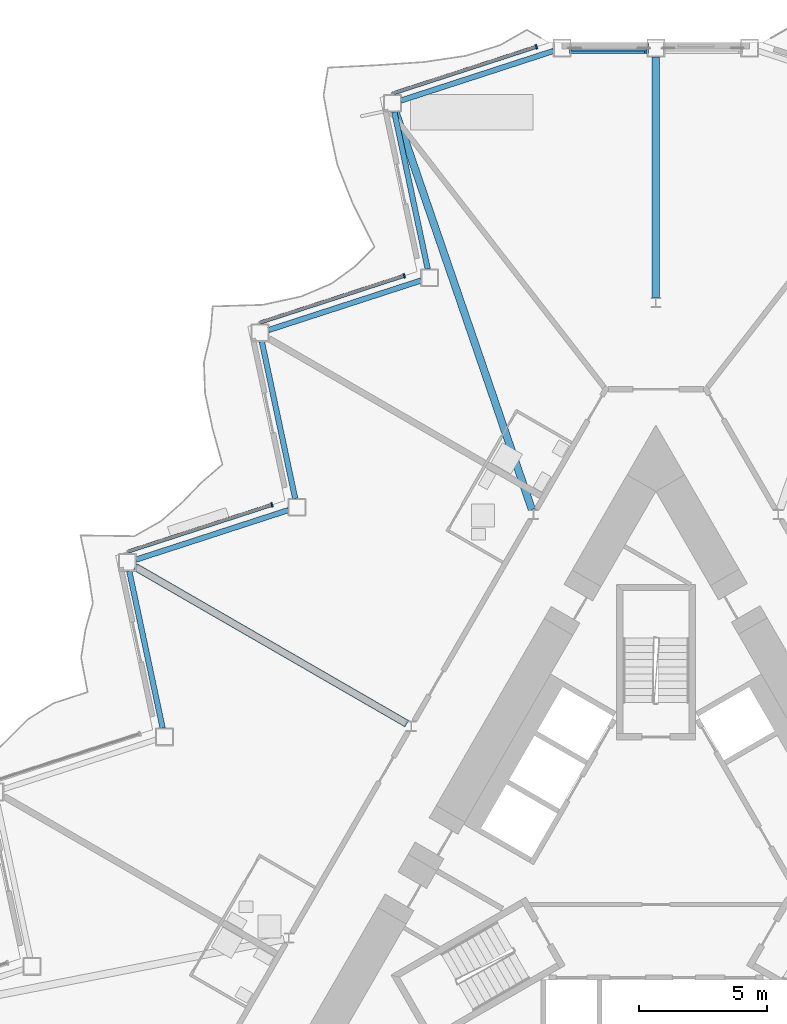
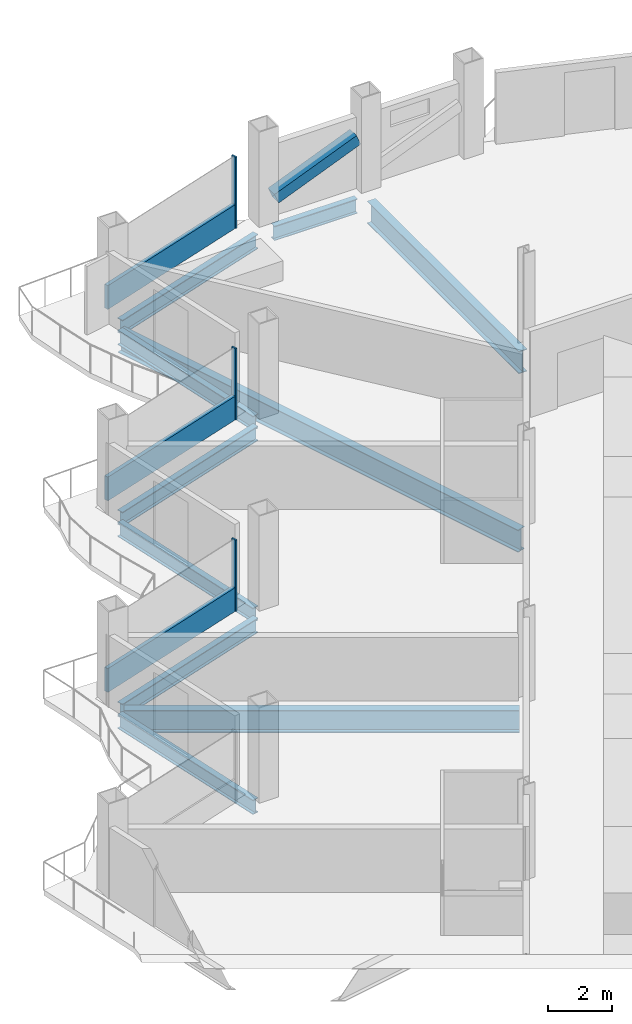
# One storey, part 8 of 23: 10 beams, 7 members, 3 elements without a shape of their own.
"""IFC4 building model written with IfcOpenShell, lengths in metres."""

from ifc_helpers import new_model, si_unit, direction, frame, origin, origin_2d, place, context, subcontext, project, spatial, rectangle, hollow_rectangle, i_section, extrude, material, layer, layer_set, material_profile, profile_set, type_object, element, aggregate, save


model = new_model("IFC4")

# Units and contexts
model_context = context("Model", 3, precision=1e-05, world=origin(), true_north=direction((0.0, 1.0)))
body_context = subcontext(model_context, "Body", "Model", "MODEL_VIEW")
ifc_project = project(units=[si_unit("LENGTHUNIT", "METRE"), si_unit("AREAUNIT", "SQUARE_METRE"), si_unit("VOLUMEUNIT", "CUBIC_METRE"), si_unit("PLANEANGLEUNIT", "RADIAN"), si_unit("MASSUNIT", "GRAM", prefix="KILO")], contexts=[model_context])

# Site, building, storey
site_placement = place(None, origin())
site = spatial("IfcSite", under=ifc_project, at=site_placement, CompositionType="ELEMENT")
building_placement = place(site_placement, origin())
building = spatial("IfcBuilding", under=site, at=building_placement, Name="Cormorant Prow Tower", CompositionType="ELEMENT")
storey_placement = place(building_placement, frame((0.0, 0.0, 249.0)))
storey = spatial("IfcBuildingStorey", under=building, at=storey_placement, Name="L55", CompositionType="ELEMENT", Elevation=249.0)

# Member
ifc_material_1 = material(Name="Structural steel ASTM A500 Gr C", Category="steel")
ifc_material_profile_1 = material_profile(ifc_material_1, hollow_rectangle(XDim=0.406494140625, YDim=0.406494140625, WallThickness=0.01171875, at=origin_2d()), Name="HSS16x16x1/2")
ifc_profile_set_1 = profile_set([ifc_material_profile_1], Name="Structural steel ASTM A500 Gr C")
member_type_1 = type_object("IfcMemberType", Name="Chamfer brace HSS16x16x1/2", PredefinedType="BRACE", material=ifc_profile_set_1)
member_1_placement = place(storey_placement, frame((-3.3046875, 32.073486328125, 0.74951171875), z_axis=(0.925591042089, 0.0, 0.37852506232), x_axis=(0.0, 1.0, 0.0)))
element("IfcMember", 1, at=member_1_placement, inside=storey, type_object=member_type_1, Name="Chamfer brace BR2 at N01 L55", PredefinedType="BRACE", context=body_context, shape_type="SweptSolid", body=[
    extrude(hollow_rectangle(XDim=0.406494140625, YDim=0.406494140625, WallThickness=0.01171875, at=origin_2d()), origin(), (0.0, 0.0, 1.0), 3.17529296875),
])

# Curtain wall, member
ifc_material_2 = material(Name="Aluminium 6063-T6", Category="aluminium")
ifc_layer = layer(ifc_material_2, 0.179931640625)
ifc_layer_set = layer_set([ifc_layer], Name="Aluminium 6063-T6")
curtain_wall_type = type_object("IfcCurtainWallType", Name="Hotel unitised curtain wall 180", PredefinedType="NOTDEFINED", material=ifc_layer_set)
curtain_wall_1_placement = place(storey_placement, origin())
curtain_wall_1 = element("IfcCurtainWall", 2, at=curtain_wall_1_placement, inside=storey, type_object=curtain_wall_type, Name="Hotel curtain wall WNW00", PredefinedType="NOTDEFINED")
ifc_material_3 = material(Name="Aluminium 6063-T6", Category="aluminium")
ifc_material_profile_2 = material_profile(ifc_material_3, rectangle(XDim=0.179931640625, YDim=0.06005859375, at=origin_2d()), Name="Hotel mullion 60x180")
ifc_profile_set_2 = profile_set([ifc_material_profile_2], Name="Aluminium 6063-T6")
member_type_2 = type_object("IfcMemberType", Name="Hotel mullion 60x180", PredefinedType="MULLION", material=ifc_profile_set_2)
member_2_placement = place(storey_placement, frame((-4.6767578125, 32.12646484375, 0.0), z_axis=(0.0, 0.0, 1.0), x_axis=(0.309017031391, -0.951056504268, 0.0)))
member_2 = element("IfcMember", 3, at=member_2_placement, type_object=member_type_2, Name="Hotel mullion WNW00", PredefinedType="MULLION", context=body_context, shape_type="SweptSolid", body=[
    extrude(rectangle(XDim=0.179931640625, YDim=0.06005859375, at=origin_2d()), origin(), (0.0, 0.0, 1.0), 2.700927734375),
])

curtain_wall_2_placement = place(storey_placement, origin())
curtain_wall_2 = element("IfcCurtainWall", 4, at=curtain_wall_2_placement, inside=storey, type_object=curtain_wall_type, Name="Hotel curtain wall WNW02", PredefinedType="NOTDEFINED")
member_3_placement = place(storey_placement, frame((-9.8525390625, 23.161865234375, 0.0), z_axis=(0.0, 0.0, 1.0), x_axis=(0.309016989196, -0.951056517978, 0.0)))
member_3 = element("IfcMember", 5, at=member_3_placement, type_object=member_type_2, Name="Hotel mullion WNW02", PredefinedType="MULLION", context=body_context, shape_type="SweptSolid", body=[
    extrude(rectangle(XDim=0.179931640625, YDim=0.06005859375, at=origin_2d()), origin(), (0.0, 0.0, 1.0), 2.700927734375),
])

curtain_wall_3_placement = place(storey_placement, origin())
curtain_wall_3 = element("IfcCurtainWall", 6, at=curtain_wall_3_placement, inside=storey, type_object=curtain_wall_type, Name="Hotel curtain wall WNW04", PredefinedType="NOTDEFINED")
member_4_placement = place(storey_placement, frame((-15.0283203125, 14.197265625, 0.0), z_axis=(0.0, 0.0, 1.0), x_axis=(0.309016989196, -0.951056517978, 0.0)))
member_4 = element("IfcMember", 7, at=member_4_placement, type_object=member_type_2, Name="Hotel mullion WNW04", PredefinedType="MULLION", context=body_context, shape_type="SweptSolid", body=[
    extrude(rectangle(XDim=0.179931640625, YDim=0.06005859375, at=origin_2d()), origin(), (0.0, 0.0, 1.0), 2.700927734375),
])

# Member
ifc_material_4 = material(Name="Terracotta", Category="masonry")
ifc_material_profile_3 = material_profile(ifc_material_4, rectangle(XDim=0.139892578125, YDim=0.89990234375, at=origin_2d()), Name="Hotel terracotta spandrel rail 140x900")
ifc_profile_set_3 = profile_set([ifc_material_profile_3], Name="Terracotta")
member_type_3 = type_object("IfcMemberType", Name="Hotel terracotta spandrel rail 140x900", PredefinedType="USERDEFINED", material=ifc_profile_set_3)
member_5_placement = place(storey_placement, frame((-4.705322265625, 32.1171875, 0.449951171875), z_axis=(-0.9510589899, -0.309009381297, 0.0), x_axis=(0.309009381297, -0.9510589899, 0.0)))
member_5 = element("IfcMember", 8, at=member_5_placement, type_object=member_type_3, Name="Hotel spandrel rail WNW00", ObjectType="TRANSOM", PredefinedType="USERDEFINED", context=body_context, shape_type="SweptSolid", body=[
    extrude(rectangle(XDim=0.139892578125, YDim=0.89990234375, at=origin_2d()), origin(), (0.0, 0.0, 1.0), 5.902587890625),
])

aggregate(curtain_wall_1, [member_2, member_5])

member_6_placement = place(storey_placement, frame((-9.881103515625, 23.152587890625, 0.449951171875), z_axis=(-0.9510589899, -0.309009381297, 0.0), x_axis=(0.309009381297, -0.9510589899, 0.0)))
member_6 = element("IfcMember", 9, at=member_6_placement, type_object=member_type_3, Name="Hotel spandrel rail WNW02", ObjectType="TRANSOM", PredefinedType="USERDEFINED", context=body_context, shape_type="SweptSolid", body=[
    extrude(rectangle(XDim=0.139892578125, YDim=0.89990234375, at=origin_2d()), origin(), (0.0, 0.0, 1.0), 5.902587890625),
])

aggregate(curtain_wall_2, [member_3, member_6])

member_7_placement = place(storey_placement, frame((-15.056884765625, 14.18798828125, 0.449951171875), z_axis=(-0.951055040221, -0.309021537228, 0.0), x_axis=(0.309021537228, -0.951055040221, 0.0)))
member_7 = element("IfcMember", 10, at=member_7_placement, type_object=member_type_3, Name="Hotel spandrel rail WNW04", ObjectType="TRANSOM", PredefinedType="USERDEFINED", context=body_context, shape_type="SweptSolid", body=[
    extrude(rectangle(XDim=0.139892578125, YDim=0.89990234375, at=origin_2d()), origin(), (0.0, 0.0, 1.0), 5.90234375),
])

aggregate(curtain_wall_3, [member_4, member_7])

# Beams
ifc_material_5 = material(Name="Structural steel ASTM A992 Gr 50", Category="steel")
ifc_material_profile_4 = material_profile(ifc_material_5, i_section(OverallWidth=0.29296875, OverallDepth=0.845703125, WebThickness=0.015380859375, FlangeThickness=0.0244140625, at=origin_2d()), Name="W33x141")
ifc_profile_set_4 = profile_set([ifc_material_profile_4], Name="Structural steel ASTM A992 Gr 50")
beam_type_1 = type_object("IfcBeamType", Name="Radial floor beam W33x141", PredefinedType="BEAM", material=ifc_profile_set_4)
beam_1_placement = place(storey_placement, frame((0.0, 22.320068359375, -0.77294921875), z_axis=(0.0, 1.0, 0.0), x_axis=(-1.0, 0.0, 0.0)))
element("IfcBeam", 11, at=beam_1_placement, inside=storey, type_object=beam_type_1, Name="Radial floor beam FB2 1 L55", PredefinedType="BEAM", context=body_context, shape_type="SweptSolid", body=[
    extrude(i_section(OverallWidth=0.29296875, OverallDepth=0.845703125, WebThickness=0.015380859375, FlangeThickness=0.0244140625, at=origin_2d()), origin(), (0.0, 0.0, 1.0), 9.4033203125),
])
beam_2_placement = place(storey_placement, frame((-4.85400390625, 14.013916015625, -0.77294921875), z_axis=(-0.324535507117, 0.945873514071, 0.0), x_axis=(-0.945873514071, -0.324535507117, 0.0)))
element("IfcBeam", 12, at=beam_2_placement, inside=storey, type_object=beam_type_1, Name="Radial floor beam FB2 2 L55", PredefinedType="BEAM", context=body_context, shape_type="SweptSolid", body=[
    extrude(i_section(OverallWidth=0.29296875, OverallDepth=0.845703125, WebThickness=0.015380859375, FlangeThickness=0.0244140625, at=origin_2d()), origin(), (0.0, 0.0, 1.0), 16.462158203125),
])
beam_3_placement = place(storey_placement, frame((-9.751220703125, 5.6298828125, -0.77294921875), z_axis=(-0.866021995826, 0.500005902711, 0.0), x_axis=(-0.500005902711, -0.866021995826, 0.0)))
element("IfcBeam", 13, at=beam_3_placement, inside=storey, type_object=beam_type_1, Name="Radial floor beam FB2 3 L55", PredefinedType="BEAM", context=body_context, shape_type="SweptSolid", body=[
    extrude(i_section(OverallWidth=0.29296875, OverallDepth=0.845703125, WebThickness=0.015380859375, FlangeThickness=0.0244140625, at=origin_2d()), origin(), (0.0, 0.0, 1.0), 12.277099609375),
])
ifc_material_6 = material(Name="Structural steel ASTM A992 Gr 50", Category="steel")
ifc_material_profile_5 = material_profile(ifc_material_6, i_section(OverallWidth=0.2138671875, OverallDepth=0.549072265625, WebThickness=0.0146484375, FlangeThickness=0.023681640625, at=origin_2d()), Name="W21x93")
ifc_profile_set_5 = profile_set([ifc_material_profile_5], Name="Structural steel ASTM A992 Gr 50")
beam_type_2 = type_object("IfcBeamType", Name="Spandrel beam W21x93", PredefinedType="SPANDREL", material=ifc_profile_set_5)
beam_4_placement = place(storey_placement, frame((-0.35009765625, 32.073486328125, -0.62451171875), z_axis=(-1.0, 0.0, 0.0), x_axis=(0.0, -1.0, 0.0)))
element("IfcBeam", 14, at=beam_4_placement, inside=storey, type_object=beam_type_2, Name="Spandrel beam SB2 N01-WNW00 L55", PredefinedType="SPANDREL", context=body_context, shape_type="SweptSolid", body=[
    extrude(i_section(OverallWidth=0.2138671875, OverallDepth=0.549072265625, WebThickness=0.0146484375, FlangeThickness=0.023681640625, at=origin_2d()), origin(), (0.0, 0.0, 1.0), 2.97021484375),
])
for number, where, z_axis, x_axis, name in (
    (15, (-4.003173828125, 31.96533203125, -0.62451171875), (-0.951054060056, -0.309024553801, 0.0), (0.309024553801, -0.951054060056, 0.0), "Spandrel beam SB2 WNW00-WNW01 L55"),
    (16, (-10.2373046875, 29.57373046875, -0.62451171875), (0.207896407679, -0.97815084914, 0.0), (0.97815084914, 0.207896407679, 0.0), "Spandrel beam SB2 WNW01-WNW02 L55"),
):
    element("IfcBeam", number, at=place(storey_placement, frame(where, z_axis=z_axis, x_axis=x_axis)), inside=storey, type_object=beam_type_2, Name=name, PredefinedType="SPANDREL", context=body_context, shape_type="SweptSolid", body=[
        extrude(i_section(OverallWidth=0.2138671875, OverallDepth=0.549072265625, WebThickness=0.0146484375, FlangeThickness=0.023681640625, at=origin_2d()), origin(), (0.0, 0.0, 1.0), 6.281494140625),
    ])
beam_5_placement = place(storey_placement, frame((-9.191650390625, 22.97900390625, -0.62451171875), z_axis=(-0.951050348284, -0.309035976918, 0.0), x_axis=(0.309035976918, -0.951050348284, 0.0)))
element("IfcBeam", 17, at=beam_5_placement, inside=storey, type_object=beam_type_2, Name="Spandrel beam SB2 WNW02-WNW03 L55", PredefinedType="SPANDREL", context=body_context, shape_type="SweptSolid", body=[
    extrude(i_section(OverallWidth=0.2138671875, OverallDepth=0.549072265625, WebThickness=0.0146484375, FlangeThickness=0.023681640625, at=origin_2d()), origin(), (0.0, 0.0, 1.0), 6.28125),
])
beam_6_placement = place(storey_placement, frame((-15.42578125, 20.58740234375, -0.62451171875), z_axis=(0.207933593793, -0.978142944856, 0.0), x_axis=(0.978142944856, 0.207933593793, 0.0)))
element("IfcBeam", 18, at=beam_6_placement, inside=storey, type_object=beam_type_2, Name="Spandrel beam SB2 WNW03-WNW04 L55", PredefinedType="SPANDREL", context=body_context, shape_type="SweptSolid", body=[
    extrude(i_section(OverallWidth=0.2138671875, OverallDepth=0.549072265625, WebThickness=0.0146484375, FlangeThickness=0.023681640625, at=origin_2d()), origin(), (0.0, 0.0, 1.0), 6.281494140625),
])
beam_7_placement = place(storey_placement, frame((-14.3798828125, 13.99267578125, -0.62451171875), z_axis=(-0.951050348284, -0.309035976918, 0.0), x_axis=(0.309035976918, -0.951050348284, 0.0)))
element("IfcBeam", 19, at=beam_7_placement, inside=storey, type_object=beam_type_2, Name="Spandrel beam SB2 WNW04-WNW05 L55", PredefinedType="SPANDREL", context=body_context, shape_type="SweptSolid", body=[
    extrude(i_section(OverallWidth=0.2138671875, OverallDepth=0.549072265625, WebThickness=0.0146484375, FlangeThickness=0.023681640625, at=origin_2d()), origin(), (0.0, 0.0, 1.0), 6.28125),
])
beam_8_placement = place(storey_placement, frame((-20.614013671875, 11.60107421875, -0.62451171875), z_axis=(0.207933593793, -0.978142944856, 0.0), x_axis=(0.978142944856, 0.207933593793, 0.0)))
element("IfcBeam", 20, at=beam_8_placement, inside=storey, type_object=beam_type_2, Name="Spandrel beam SB2 WNW05-WNW06 L55", PredefinedType="SPANDREL", context=body_context, shape_type="SweptSolid", body=[
    extrude(i_section(OverallWidth=0.2138671875, OverallDepth=0.549072265625, WebThickness=0.0146484375, FlangeThickness=0.023681640625, at=origin_2d()), origin(), (0.0, 0.0, 1.0), 6.281494140625),
])

save(model, "model.ifc")
